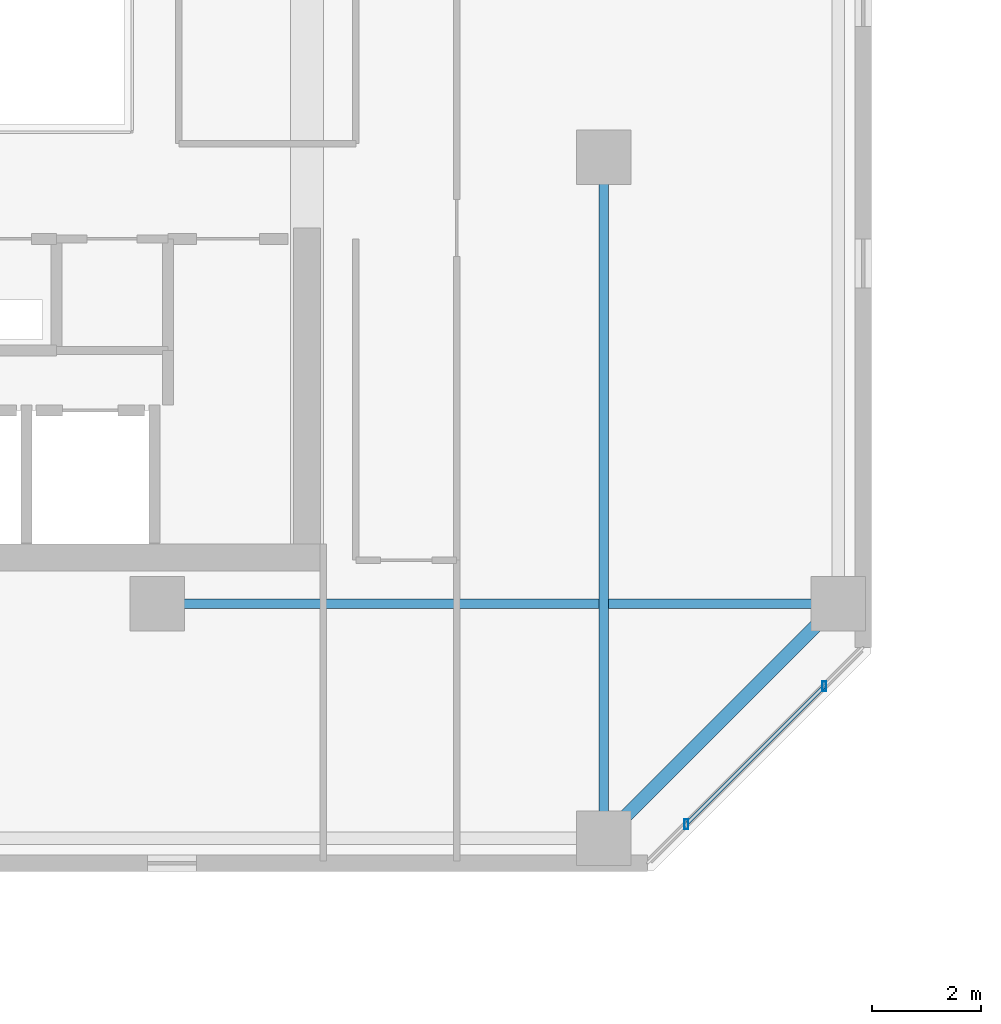
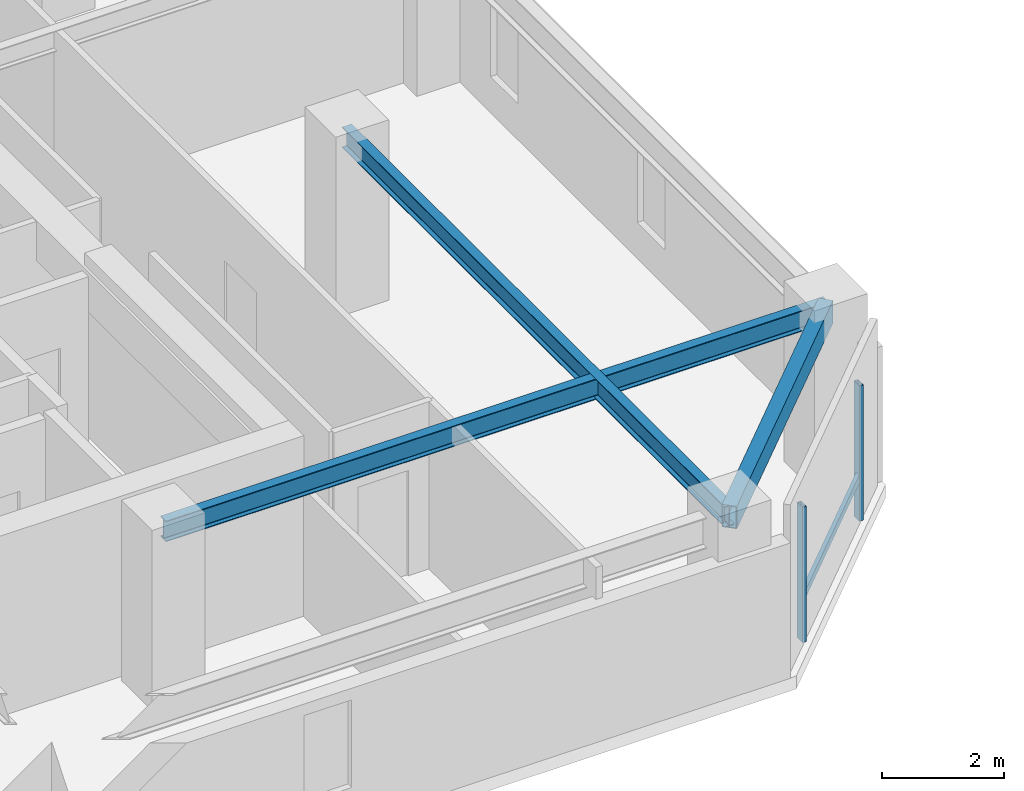
# One storey, part 5 of 33: 3 beams, 3 members, 1 element without a shape of its own.
"""IFC4 building model written with IfcOpenShell, lengths in metres."""

from ifc_helpers import new_model, si_unit, direction, frame, origin, origin_2d, place, context, subcontext, project, spatial, hollow_rectangle, i_section, extrude, material, material_profile, profile_set, type_object, element, aggregate, save


model = new_model("IFC4")

# Units and contexts
model_context = context("Model", 3, precision=1e-05, world=origin(), true_north=direction((0.0, 1.0)))
body_context = subcontext(model_context, "Body", "Model", "MODEL_VIEW")
ifc_project = project(units=[si_unit("LENGTHUNIT", "METRE"), si_unit("AREAUNIT", "SQUARE_METRE"), si_unit("VOLUMEUNIT", "CUBIC_METRE"), si_unit("PLANEANGLEUNIT", "RADIAN"), si_unit("MASSUNIT", "GRAM", prefix="KILO")], contexts=[model_context])

# Site, building, storey
site_placement = place(None, origin())
site = spatial("IfcSite", under=ifc_project, at=site_placement, CompositionType="ELEMENT")
building_placement = place(site_placement, origin())
building = spatial("IfcBuilding", under=site, at=building_placement, Name="Thornwick Lancets Civic Towers", CompositionType="ELEMENT")
storey_placement = place(building_placement, frame((0.0, 0.0, 203.699951171875)))
storey = spatial("IfcBuildingStorey", under=building, at=storey_placement, Name="L54", CompositionType="ELEMENT", Elevation=203.699951171875)

# Beams
ifc_material_1 = material(Name="Steel S355JR", Category="steel")
ifc_material_profile_1 = material_profile(ifc_material_1, i_section(OverallWidth=0.179443359375, OverallDepth=0.412841796875, WebThickness=0.009521484375, FlangeThickness=0.01611328125, FilletRadius=0.01025390625, at=origin_2d()), Name="UKB 406x178x74")
ifc_profile_set_1 = profile_set([ifc_material_profile_1], Name="Steel S355JR")
beam_type_1 = type_object("IfcBeamType", Name="BM_JOIST_406_74", PredefinedType="JOIST", material=ifc_profile_set_1)
for number, where, z_axis, x_axis, name in (
    (1, (38.5, 22.199951171875, 3.153564453125), (0.0, -1.0, 0.0), (1.0, 0.0, 0.0), "BM-RADIN-L54-A03"),
    (2, (30.300048828125, 14.0, 3.153564453125), (1.0, 0.0, 0.0), (0.0, 1.0, 0.0), "BM-RADIN-L54-A04"),
):
    element("IfcBeam", number, at=place(storey_placement, frame(where, z_axis=z_axis, x_axis=x_axis)), inside=storey, type_object=beam_type_1, Name=name, PredefinedType="JOIST", context=body_context, shape_type="SweptSolid", body=[
        extrude(i_section(OverallWidth=0.179443359375, OverallDepth=0.412841796875, WebThickness=0.009521484375, FlangeThickness=0.01611328125, FilletRadius=0.01025390625, at=origin_2d()), origin(), (0.0, 0.0, 1.0), 12.5),
    ])
ifc_material_profile_2 = material_profile(ifc_material_1, hollow_rectangle(XDim=0.25, YDim=0.449951171875, WallThickness=0.01611328125, at=origin_2d()), Name="RHS 450x250x16")
ifc_profile_set_2 = profile_set([ifc_material_profile_2], Name="Steel S355JR")
beam_type_2 = type_object("IfcBeamType", Name="BM_RING_RHS450", PredefinedType="BEAM", material=ifc_profile_set_2)
beam_placement = place(storey_placement, frame((38.5, 9.699951171875, 3.135009765625), z_axis=(0.707106781187, 0.707106781187, 0.0), x_axis=(-0.707106781187, 0.707106781187, 0.0)))
element("IfcBeam", 3, at=beam_placement, inside=storey, type_object=beam_type_2, Name="BM-CHAMF-L54-A-C0", PredefinedType="BEAM", context=body_context, shape_type="SweptSolid", body=[
    extrude(hollow_rectangle(XDim=0.25, YDim=0.449951171875, WallThickness=0.01611328125, at=origin_2d()), origin(), (0.0, 0.0, 1.0), 6.081298828125),
])

# Curtain wall, members
ifc_material_2 = material(Name="High-zone chamfered-corner unitised glass curtain wall", Category="glass")
curtain_wall_type = type_object("IfcCurtainWallType", Name="CW_SYS_05", PredefinedType="NOTDEFINED", material=ifc_material_2)
curtain_wall_placement = place(storey_placement, origin())
curtain_wall = element("IfcCurtainWall", 4, at=curtain_wall_placement, inside=storey, type_object=curtain_wall_type, Name="L54 Curtain Wall CW-L54-A-E1", PredefinedType="NOTDEFINED")
ifc_material_3 = material(Name="Thermally broken bronze aluminium S355", Category="steel")
ifc_material_profile_3 = material_profile(ifc_material_3, hollow_rectangle(XDim=0.074951171875, YDim=0.179931640625, WallThickness=0.006103515625, at=origin_2d()), Name="RHS 180x75x6")
ifc_profile_set_3 = profile_set([ifc_material_profile_3], Name="Thermally broken bronze aluminium S355")
member_type_1 = type_object("IfcMemberType", Name="CW_MUL_180", PredefinedType="MULLION", material=ifc_profile_set_3)
member_1_placement = place(storey_placement, frame((40.014892578125, 9.952880859375, 0.0), z_axis=(0.0, 0.0, 1.0), x_axis=(1.0, 0.0, 0.0)))
member_1 = element("IfcMember", 5, at=member_1_placement, type_object=member_type_1, Name="CW-L54-A-E1 Mullion 0", PredefinedType="MULLION", context=body_context, shape_type="SweptSolid", body=[
    extrude(hollow_rectangle(XDim=0.074951171875, YDim=0.179931640625, WallThickness=0.006103515625, at=origin_2d()), origin(), (0.0, 0.0, 1.0), 2.699951171875),
])
member_2_placement = place(storey_placement, frame((42.547119140625, 12.485107421875, 0.0), z_axis=(0.0, 0.0, 1.0), x_axis=(1.0, 0.0, 0.0)))
member_2 = element("IfcMember", 6, at=member_2_placement, type_object=member_type_1, Name="CW-L54-A-E1 Mullion 1", PredefinedType="MULLION", context=body_context, shape_type="SweptSolid", body=[
    extrude(hollow_rectangle(XDim=0.074951171875, YDim=0.179931640625, WallThickness=0.006103515625, at=origin_2d()), origin(), (0.0, 0.0, 1.0), 2.699951171875),
])
ifc_material_profile_4 = material_profile(ifc_material_3, hollow_rectangle(XDim=0.074951171875, YDim=0.14990234375, WallThickness=0.0048828125, at=origin_2d()), Name="RHS 150x75x5")
ifc_profile_set_4 = profile_set([ifc_material_profile_4], Name="Thermally broken bronze aluminium S355")
member_type_2 = type_object("IfcMemberType", Name="CW_TRN_150", PredefinedType="USERDEFINED", material=ifc_profile_set_4)
member_3_placement = place(storey_placement, frame((40.029052734375, 9.967041015625, 0.85009765625), z_axis=(0.707106781187, 0.707106781187, 0.0), x_axis=(-0.707106781187, 0.707106781187, 0.0)))
member_3 = element("IfcMember", 7, at=member_3_placement, type_object=member_type_2, Name="CW-L54-A-E1 Transom 0", ObjectType="TRANSOM", PredefinedType="USERDEFINED", context=body_context, shape_type="SweptSolid", body=[
    extrude(hollow_rectangle(XDim=0.074951171875, YDim=0.14990234375, WallThickness=0.0048828125, at=origin_2d()), origin(), (0.0, 0.0, 1.0), 3.541015625),
])
aggregate(curtain_wall, [member_1, member_2, member_3])

save(model, "model.ifc")
